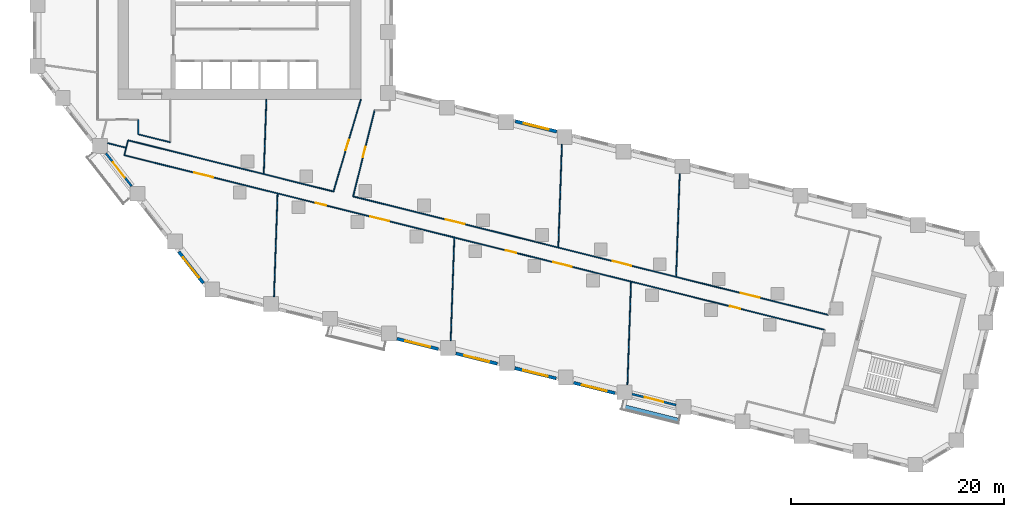
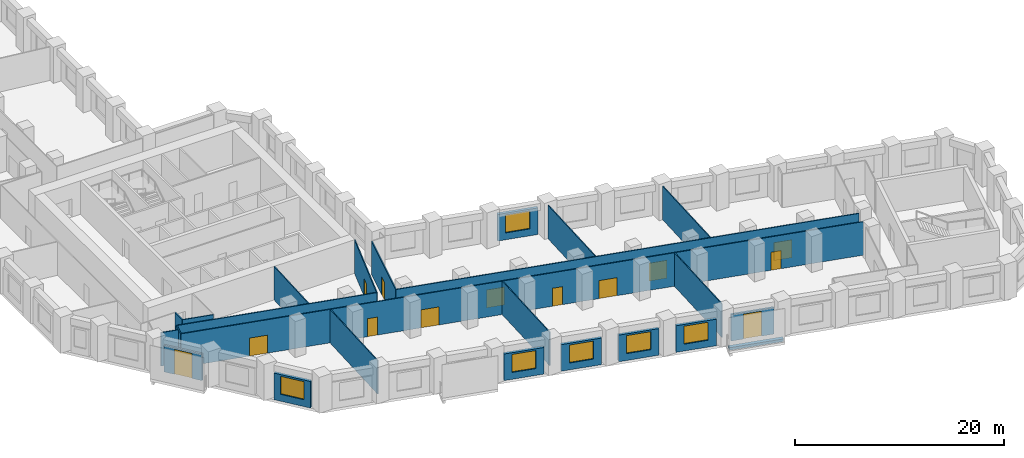
# One storey, part 3 of 11: 24 walls, 13 doors, 6 windows, 19 openings.
"""IFC4 building model written with IfcOpenShell, lengths in metres."""

from ifc_helpers import new_model, si_unit, direction, frame, frame_2d, origin, place, context, subcontext, project, spatial, rectangle, extrude, material, layer, layer_set, type_object, element, fill, save


model = new_model("IFC4")

# Units and contexts
model_context = context("Model", 3, precision=1e-05, world=origin(), true_north=direction((0.0, 1.0)))
body_context = subcontext(model_context, "Body", "Model", "MODEL_VIEW")
ifc_project = project(units=[si_unit("LENGTHUNIT", "METRE"), si_unit("AREAUNIT", "SQUARE_METRE"), si_unit("VOLUMEUNIT", "CUBIC_METRE"), si_unit("PLANEANGLEUNIT", "RADIAN"), si_unit("MASSUNIT", "GRAM", prefix="KILO")], contexts=[model_context])

# Site, building, storey
site_placement = place(None, origin())
site = spatial("IfcSite", under=ifc_project, at=site_placement, CompositionType="ELEMENT")
building_placement = place(site_placement, origin())
building = spatial("IfcBuilding", under=site, at=building_placement, Name="Meshkara Civic Tower", CompositionType="ELEMENT")
storey_placement = place(building_placement, frame((0.0, 0.0, 75.0)))
storey = spatial("IfcBuildingStorey", under=building, at=storey_placement, Name="L16", CompositionType="ELEMENT", Elevation=75.0)

# Wall, openings, doors
ifc_material_1 = material(Name="Corridor wall 100")
ifc_layer_1 = layer(ifc_material_1, 0.10009765625)
ifc_layer_set_1 = layer_set([ifc_layer_1], Name="Corridor wall 100")
wall_type_1 = type_object("IfcWallType", Name="Corridor wall 100", PredefinedType="PARTITIONING", material=ifc_layer_set_1)
wall_1_placement = place(storey_placement, frame((8.593994140625, 8.862060546875, 0.0), z_axis=(0.0, 0.0, 1.0), x_axis=(0.970293392615, -0.241931255211, 0.0)))
wall_1 = element("IfcWall", 1, at=wall_1_placement, inside=storey, type_object=wall_type_1, Name="L16-W007", PredefinedType="PARTITIONING", context=body_context, shape_type="SweptSolid", body=[
    extrude(rectangle(XDim=67.775390625, YDim=0.10009765625, at=frame_2d((33.8876953125, 0.0))), origin(), (0.0, 0.0, 1.0), 3.89990234375),
])
opening_1_placement = place(wall_1_placement, frame((36.910888671875, 0.0, 0.0)))
opening_1 = element("IfcOpeningElement", 2, at=opening_1_placement, cuts=wall_1, Name="Opening L16-D003", PredefinedType="OPENING", context=body_context, shape_type="SweptSolid", body=[
    extrude(rectangle(XDim=1.0, YDim=2.10009765625, at=frame_2d((0.5, 1.050048828125))), frame((0.0, 0.06005859375, 0.0), z_axis=(0.0, -1.0, 0.0), x_axis=(1.0, 0.0, 0.0)), (0.0, 0.0, 1.0), 0.1201171875),
])
opening_2_placement = place(wall_1_placement, frame((41.510986328125, 0.0, 0.0)))
opening_2 = element("IfcOpeningElement", 3, at=opening_2_placement, cuts=wall_1, Name="Opening L16-D004", PredefinedType="OPENING", context=body_context, shape_type="SweptSolid", body=[
    extrude(rectangle(XDim=1.800048828125, YDim=2.10009765625, at=frame_2d((0.89990234375, 1.050048828125))), frame((0.0, 0.06005859375, 0.0), z_axis=(0.0, -1.0, 0.0), x_axis=(1.0, 0.0, 0.0)), (0.0, 0.0, 1.0), 0.1201171875),
])
opening_3_placement = place(wall_1_placement, frame((58.611083984375, 0.0, 0.0)))
opening_3 = element("IfcOpeningElement", 4, at=opening_3_placement, cuts=wall_1, Name="Opening L16-D006", PredefinedType="OPENING", context=body_context, shape_type="SweptSolid", body=[
    extrude(rectangle(XDim=1.0, YDim=2.10009765625, at=frame_2d((0.5, 1.050048828125))), frame((0.0, 0.06005859375, 0.0), z_axis=(0.0, -1.0, 0.0), x_axis=(1.0, 0.0, 0.0)), (0.0, 0.0, 1.0), 0.1201171875),
])
opening_4_placement = place(wall_1_placement, frame((18.510986328125, 0.0, 0.0)))
opening_4 = element("IfcOpeningElement", 5, at=opening_4_placement, cuts=wall_1, Name="Opening L16-D009", PredefinedType="OPENING", context=body_context, shape_type="SweptSolid", body=[
    extrude(rectangle(XDim=1.0, YDim=2.10009765625, at=frame_2d((0.5, 1.050048828125))), frame((0.0, 0.06005859375, 0.0), z_axis=(0.0, -1.0, 0.0), x_axis=(1.0, 0.0, 0.0)), (0.0, 0.0, 1.0), 0.1201171875),
])
opening_5_placement = place(wall_1_placement, frame((23.81103515625, 0.0, 0.0)))
opening_5 = element("IfcOpeningElement", 6, at=opening_5_placement, cuts=wall_1, Name="Opening L16-D010", PredefinedType="OPENING", context=body_context, shape_type="SweptSolid", body=[
    extrude(rectangle(XDim=1.800048828125, YDim=2.10009765625, at=frame_2d((0.89990234375, 1.050048828125))), frame((0.0, 0.06005859375, 0.0), z_axis=(0.0, -1.0, 0.0), x_axis=(1.0, 0.0, 0.0)), (0.0, 0.0, 1.0), 0.1201171875),
])
opening_6_placement = place(wall_1_placement, frame((6.780029296875, 0.0, 0.0)))
opening_6 = element("IfcOpeningElement", 7, at=opening_6_placement, cuts=wall_1, Name="Opening L16-D013", PredefinedType="OPENING", context=body_context, shape_type="SweptSolid", body=[
    extrude(rectangle(XDim=1.800048828125, YDim=2.10009765625, at=frame_2d((0.89990234375, 1.050048828125))), frame((0.0, 0.06005859375, 0.0), z_axis=(0.0, -1.0, 0.0), x_axis=(1.0, 0.0, 0.0)), (0.0, 0.0, 1.0), 0.1201171875),
])
ifc_material_2 = material(Name="Door 1000 x 2100")
door_type_1 = type_object("IfcDoorType", Name="Door 1000 x 2100", OperationType="SINGLE_SWING_LEFT", PredefinedType="DOOR", material=ifc_material_2)
door_1_placement = place(opening_1_placement, origin())
door_1 = element("IfcDoor", 8, at=door_1_placement, inside=storey, type_object=door_type_1, Name="L16-D003", OperationType="SINGLE_SWING_RIGHT", OverallHeight=2.10009765625, OverallWidth=1.0, PredefinedType="DOOR", context=body_context, shape_type="SweptSolid", body=[
    extrude(rectangle(XDim=1.0, YDim=2.10009765625, at=frame_2d((0.5, 1.050048828125))), frame((0.0, 0.02490234375, 0.0), z_axis=(0.0, -1.0, 0.0), x_axis=(1.0, 0.0, 0.0)), (0.0, 0.0, 1.0), 0.050048828125),
])
fill(opening_1, door_1)
door_2_placement = place(opening_3_placement, origin())
door_2 = element("IfcDoor", 9, at=door_2_placement, inside=storey, type_object=door_type_1, Name="L16-D006", OperationType="SINGLE_SWING_LEFT", OverallHeight=2.10009765625, OverallWidth=1.0, PredefinedType="DOOR", context=body_context, shape_type="SweptSolid", body=[
    extrude(rectangle(XDim=1.0, YDim=2.10009765625, at=frame_2d((0.5, 1.050048828125))), frame((0.0, 0.02490234375, 0.0), z_axis=(0.0, -1.0, 0.0), x_axis=(1.0, 0.0, 0.0)), (0.0, 0.0, 1.0), 0.050048828125),
])
fill(opening_3, door_2)
door_3_placement = place(opening_4_placement, origin())
door_3 = element("IfcDoor", 10, at=door_3_placement, inside=storey, type_object=door_type_1, Name="L16-D009", OperationType="SINGLE_SWING_RIGHT", OverallHeight=2.10009765625, OverallWidth=1.0, PredefinedType="DOOR", context=body_context, shape_type="SweptSolid", body=[
    extrude(rectangle(XDim=1.0, YDim=2.10009765625, at=frame_2d((0.5, 1.050048828125))), frame((0.0, 0.02490234375, 0.0), z_axis=(0.0, -1.0, 0.0), x_axis=(1.0, 0.0, 0.0)), (0.0, 0.0, 1.0), 0.050048828125),
])
fill(opening_4, door_3)
ifc_material_3 = material(Name="Door pair 1800 x 2100")
door_type_2 = type_object("IfcDoorType", Name="Door pair 1800 x 2100", OperationType="SINGLE_SWING_LEFT", PredefinedType="DOOR", material=ifc_material_3)
door_4_placement = place(opening_2_placement, origin())
door_4 = element("IfcDoor", 11, at=door_4_placement, inside=storey, type_object=door_type_2, Name="L16-D004", OperationType="DOUBLE_DOOR_SINGLE_SWING", OverallHeight=2.10009765625, OverallWidth=1.800048828125, PredefinedType="DOOR", context=body_context, shape_type="SweptSolid", body=[
    extrude(rectangle(XDim=1.800048828125, YDim=2.10009765625, at=frame_2d((0.89990234375, 1.050048828125))), frame((0.0, 0.02490234375, 0.0), z_axis=(0.0, -1.0, 0.0), x_axis=(1.0, 0.0, 0.0)), (0.0, 0.0, 1.0), 0.050048828125),
])
fill(opening_2, door_4)
door_5_placement = place(opening_5_placement, origin())
door_5 = element("IfcDoor", 12, at=door_5_placement, inside=storey, type_object=door_type_2, Name="L16-D010", OperationType="DOUBLE_DOOR_SINGLE_SWING", OverallHeight=2.10009765625, OverallWidth=1.800048828125, PredefinedType="DOOR", context=body_context, shape_type="SweptSolid", body=[
    extrude(rectangle(XDim=1.800048828125, YDim=2.10009765625, at=frame_2d((0.89990234375, 1.050048828125))), frame((0.0, 0.02490234375, 0.0), z_axis=(0.0, -1.0, 0.0), x_axis=(1.0, 0.0, 0.0)), (0.0, 0.0, 1.0), 0.050048828125),
])
fill(opening_5, door_5)
door_6_placement = place(opening_6_placement, origin())
door_6 = element("IfcDoor", 13, at=door_6_placement, inside=storey, type_object=door_type_2, Name="L16-D013", OperationType="DOUBLE_DOOR_SINGLE_SWING", OverallHeight=2.10009765625, OverallWidth=1.800048828125, PredefinedType="DOOR", context=body_context, shape_type="SweptSolid", body=[
    extrude(rectangle(XDim=1.800048828125, YDim=2.10009765625, at=frame_2d((0.89990234375, 1.050048828125))), frame((0.0, 0.02490234375, 0.0), z_axis=(0.0, -1.0, 0.0), x_axis=(1.0, 0.0, 0.0)), (0.0, 0.0, 1.0), 0.050048828125),
])
fill(opening_6, door_6)

# Walls
wall_2_placement = place(storey_placement, frame((8.944091796875, 10.263916015625, 0.0), z_axis=(0.0, 0.0, 1.0), x_axis=(0.970300504447, -0.241902730595, 0.0)))
element("IfcWall", 14, at=wall_2_placement, inside=storey, type_object=wall_type_1, Name="L16-W008", PredefinedType="PARTITIONING", context=body_context, shape_type="SweptSolid", body=[
    extrude(rectangle(XDim=19.879150390625, YDim=0.10009765625, at=frame_2d((9.939453125, 0.0))), origin(), (0.0, 0.0, 1.0), 3.89990234375),
])
wall_3_placement = place(storey_placement, frame((8.944091796875, 10.263916015625, 0.0), z_axis=(0.0, 0.0, 1.0), x_axis=(-0.242297077633, -0.970202105837, 0.0)))
element("IfcWall", 15, at=wall_3_placement, inside=storey, type_object=wall_type_1, Name="L16-W009", PredefinedType="PARTITIONING", context=body_context, shape_type="SweptSolid", body=[
    extrude(rectangle(XDim=1.44482421875, YDim=0.10009765625, at=frame_2d((0.722412109375, 0.0))), origin(), (0.0, 0.0, 1.0), 3.89990234375),
])
wall_4_placement = place(storey_placement, frame((9.89990234375, 10.825927734375, 0.0), z_axis=(0.0, 0.0, 1.0), x_axis=(0.970290953223, -0.241941038466, 0.0)))
element("IfcWall", 16, at=wall_4_placement, inside=storey, type_object=wall_type_1, Name="L16-W010", PredefinedType="PARTITIONING", context=body_context, shape_type="SweptSolid", body=[
    extrude(rectangle(XDim=3.091796875, YDim=0.10009765625, at=frame_2d((1.5458984375, 0.0))), origin(), (0.0, 0.0, 1.0), 3.89990234375),
])
wall_5_placement = place(storey_placement, frame((9.89990234375, 12.199951171875, 0.0), z_axis=(0.0, 0.0, 1.0), x_axis=(0.0, -1.0, 0.0)))
element("IfcWall", 17, at=wall_5_placement, inside=storey, type_object=wall_type_1, Name="L16-W011", PredefinedType="PARTITIONING", context=body_context, shape_type="SweptSolid", body=[
    extrude(rectangle(XDim=1.3740234375, YDim=0.10009765625, at=frame_2d((0.68701171875, 0.0))), origin(), (0.0, 0.0, 1.0), 3.89990234375),
])

# Wall, openings, doors
wall_6_placement = place(storey_placement, frame((30.075927734375, 4.9951171875, 0.0), z_axis=(0.0, 0.0, 1.0), x_axis=(0.970296234935, -0.241919855469, 0.0)))
wall_6 = element("IfcWall", 18, at=wall_6_placement, inside=storey, type_object=wall_type_1, Name="L16-W020", PredefinedType="PARTITIONING", context=body_context, shape_type="SweptSolid", body=[
    extrude(rectangle(XDim=45.995361328125, YDim=0.10009765625, at=frame_2d((22.99755859375, 0.0))), origin(), (0.0, 0.0, 1.0), 3.89990234375),
])
opening_7_placement = place(wall_6_placement, frame((25.12109375, 0.0, 0.0)))
opening_7 = element("IfcOpeningElement", 19, at=opening_7_placement, cuts=wall_6, Name="Opening L16-D005", PredefinedType="OPENING", context=body_context, shape_type="SweptSolid", body=[
    extrude(rectangle(XDim=1.800048828125, YDim=2.10009765625, at=frame_2d((0.89990234375, 1.050048828125))), frame((0.0, 0.06005859375, 0.0), z_axis=(0.0, -1.0, 0.0), x_axis=(1.0, 0.0, 0.0)), (0.0, 0.0, 1.0), 0.1201171875),
])
opening_8_placement = place(wall_6_placement, frame((37.52001953125, 0.0, 0.0)))
opening_8 = element("IfcOpeningElement", 20, at=opening_8_placement, cuts=wall_6, Name="Opening L16-D007", PredefinedType="OPENING", context=body_context, shape_type="SweptSolid", body=[
    extrude(rectangle(XDim=1.800048828125, YDim=2.10009765625, at=frame_2d((0.89990234375, 1.050048828125))), frame((0.0, 0.06005859375, 0.0), z_axis=(0.0, -1.0, 0.0), x_axis=(1.0, 0.0, 0.0)), (0.0, 0.0, 1.0), 0.1201171875),
])
opening_9_placement = place(wall_6_placement, frame((8.97998046875, 0.0, 0.0)))
opening_9 = element("IfcOpeningElement", 21, at=opening_9_placement, cuts=wall_6, Name="Opening L16-D011", PredefinedType="OPENING", context=body_context, shape_type="SweptSolid", body=[
    extrude(rectangle(XDim=1.800048828125, YDim=2.10009765625, at=frame_2d((0.89990234375, 1.050048828125))), frame((0.0, 0.06005859375, 0.0), z_axis=(0.0, -1.0, 0.0), x_axis=(1.0, 0.0, 0.0)), (0.0, 0.0, 1.0), 0.1201171875),
])
door_7_placement = place(opening_7_placement, origin())
door_7 = element("IfcDoor", 22, at=door_7_placement, inside=storey, type_object=door_type_2, Name="L16-D005", OperationType="DOUBLE_DOOR_SINGLE_SWING", OverallHeight=2.10009765625, OverallWidth=1.800048828125, PredefinedType="DOOR", context=body_context, shape_type="SweptSolid", body=[
    extrude(rectangle(XDim=1.800048828125, YDim=2.10009765625, at=frame_2d((0.89990234375, 1.050048828125))), frame((0.0, 0.02490234375, 0.0), z_axis=(0.0, -1.0, 0.0), x_axis=(1.0, 0.0, 0.0)), (0.0, 0.0, 1.0), 0.050048828125),
])
fill(opening_7, door_7)
door_8_placement = place(opening_8_placement, origin())
door_8 = element("IfcDoor", 23, at=door_8_placement, inside=storey, type_object=door_type_2, Name="L16-D007", OperationType="DOUBLE_DOOR_SINGLE_SWING", OverallHeight=2.10009765625, OverallWidth=1.800048828125, PredefinedType="DOOR", context=body_context, shape_type="SweptSolid", body=[
    extrude(rectangle(XDim=1.800048828125, YDim=2.10009765625, at=frame_2d((0.89990234375, 1.050048828125))), frame((0.0, 0.02490234375, 0.0), z_axis=(0.0, -1.0, 0.0), x_axis=(1.0, 0.0, 0.0)), (0.0, 0.0, 1.0), 0.050048828125),
])
fill(opening_8, door_8)
door_9_placement = place(opening_9_placement, origin())
door_9 = element("IfcDoor", 24, at=door_9_placement, inside=storey, type_object=door_type_2, Name="L16-D011", OperationType="DOUBLE_DOOR_SINGLE_SWING", OverallHeight=2.10009765625, OverallWidth=1.800048828125, PredefinedType="DOOR", context=body_context, shape_type="SweptSolid", body=[
    extrude(rectangle(XDim=1.800048828125, YDim=2.10009765625, at=frame_2d((0.89990234375, 1.050048828125))), frame((0.0, 0.02490234375, 0.0), z_axis=(0.0, -1.0, 0.0), x_axis=(1.0, 0.0, 0.0)), (0.0, 0.0, 1.0), 0.050048828125),
])
fill(opening_9, door_9)

# Wall, opening, door
wall_7_placement = place(storey_placement, frame((30.075927734375, 4.9951171875, 0.0), z_axis=(0.0, 0.0, 1.0), x_axis=(0.241944155572, 0.97029017597, 0.0)))
wall_7 = element("IfcWall", 25, at=wall_7_placement, inside=storey, type_object=wall_type_1, Name="L16-W021", PredefinedType="PARTITIONING", context=body_context, shape_type="SweptSolid", body=[
    extrude(rectangle(XDim=8.353271484375, YDim=0.10009765625, at=frame_2d((4.1767578125, 0.0))), origin(), (0.0, 0.0, 1.0), 3.89990234375),
])
opening_10_placement = place(wall_7_placement, frame((3.780029296875, 0.0, 0.0)))
opening_10 = element("IfcOpeningElement", 26, at=opening_10_placement, cuts=wall_7, Name="Opening L16-D015", PredefinedType="OPENING", context=body_context, shape_type="SweptSolid", body=[
    extrude(rectangle(XDim=1.0, YDim=2.10009765625, at=frame_2d((0.5, 1.050048828125))), frame((0.0, 0.06005859375, 0.0), z_axis=(0.0, -1.0, 0.0), x_axis=(1.0, 0.0, 0.0)), (0.0, 0.0, 1.0), 0.1201171875),
])
door_10_placement = place(opening_10_placement, origin())
door_10 = element("IfcDoor", 27, at=door_10_placement, inside=storey, type_object=door_type_1, Name="L16-D015", OperationType="SINGLE_SWING_LEFT", OverallHeight=2.10009765625, OverallWidth=1.0, PredefinedType="DOOR", context=body_context, shape_type="SweptSolid", body=[
    extrude(rectangle(XDim=1.0, YDim=2.10009765625, at=frame_2d((0.5, 1.050048828125))), frame((0.0, 0.02490234375, 0.0), z_axis=(0.0, -1.0, 0.0), x_axis=(1.0, 0.0, 0.0)), (0.0, 0.0, 1.0), 0.050048828125),
])
fill(opening_10, door_10)

wall_8_placement = place(storey_placement, frame((30.800048828125, 14.10009765625, 0.0), z_axis=(0.0, 0.0, 1.0), x_axis=(-0.284664373847, -0.95862724469, 0.0)))
wall_8 = element("IfcWall", 28, at=wall_8_placement, inside=storey, type_object=wall_type_1, Name="L16-W022", PredefinedType="PARTITIONING", context=body_context, shape_type="SweptSolid", body=[
    extrude(rectangle(XDim=9.01806640625, YDim=0.10009765625, at=frame_2d((4.509033203125, 0.0))), origin(), (0.0, 0.0, 1.0), 3.89990234375),
])
opening_11_placement = place(wall_8_placement, frame((3.97998046875, 0.0, 0.0)))
opening_11 = element("IfcOpeningElement", 29, at=opening_11_placement, cuts=wall_8, Name="Opening L16-D014", PredefinedType="OPENING", context=body_context, shape_type="SweptSolid", body=[
    extrude(rectangle(XDim=1.0, YDim=2.10009765625, at=frame_2d((0.5, 1.050048828125))), frame((0.0, 0.06005859375, 0.0), z_axis=(0.0, -1.0, 0.0), x_axis=(1.0, 0.0, 0.0)), (0.0, 0.0, 1.0), 0.1201171875),
])
door_11_placement = place(opening_11_placement, origin())
door_11 = element("IfcDoor", 30, at=door_11_placement, inside=storey, type_object=door_type_1, Name="L16-D014", OperationType="SINGLE_SWING_RIGHT", OverallHeight=2.10009765625, OverallWidth=1.0, PredefinedType="DOOR", context=body_context, shape_type="SweptSolid", body=[
    extrude(rectangle(XDim=1.0, YDim=2.10009765625, at=frame_2d((0.5, 1.050048828125))), frame((0.0, 0.02490234375, 0.0), z_axis=(0.0, -1.0, 0.0), x_axis=(1.0, 0.0, 0.0)), (0.0, 0.0, 1.0), 0.050048828125),
])
fill(opening_11, door_11)

# Wall, opening, window
ifc_material_4 = material(Name="Insulated infill panel with bronze anodised aluminium cladding", Category="aluminium")
ifc_layer_2 = layer(ifc_material_4, 0.300048828125)
ifc_layer_set_2 = layer_set([ifc_layer_2], Name="EXTERNAL INFILL WALL 300")
wall_type_2 = type_object("IfcWallType", Name="EXTERNAL INFILL WALL 300", PredefinedType="SOLIDWALL", material=ifc_layer_set_2)
wall_9_placement = place(storey_placement, frame((49.19091796875, 11.0791015625, 0.0), z_axis=(0.0, 0.0, 1.0), x_axis=(-0.970318045095, 0.24183236211, 0.0)))
wall_9 = element("IfcWall", 31, at=wall_9_placement, inside=storey, type_object=wall_type_2, Name="External wall", PredefinedType="SOLIDWALL", context=body_context, shape_type="SweptSolid", body=[
    extrude(rectangle(XDim=4.0029296875, YDim=0.300048828125, at=frame_2d((2.00146484375, 0.0))), origin(), (0.0, 0.0, 1.0), 3.10009765625),
])
opening_12_placement = place(wall_9_placement, frame((0.802001953125, 0.0, 0.800048828125)))
opening_12 = element("IfcOpeningElement", 32, at=opening_12_placement, cuts=wall_9, Name="Opening W7", PredefinedType="OPENING", context=body_context, shape_type="SweptSolid", body=[
    extrude(rectangle(XDim=2.39990234375, YDim=2.10009765625, at=frame_2d((1.199951171875, 1.050048828125))), frame((0.0, 0.159912109375, 0.0), z_axis=(0.0, -1.0, 0.0), x_axis=(1.0, 0.0, 0.0)), (0.0, 0.0, 1.0), 0.320068359375),
])
ifc_material_5 = material(Name="Tinted double glazing", Category="glass")
window_type = type_object("IfcWindowType", Name="WINDOW 2400x2100", PartitioningType="DOUBLE_PANEL_VERTICAL", PredefinedType="WINDOW", material=ifc_material_5)
window_1_placement = place(opening_12_placement, origin())
window_1 = element("IfcWindow", 33, at=window_1_placement, inside=storey, type_object=window_type, Name="Window", OverallHeight=2.10009765625, OverallWidth=2.39990234375, PartitioningType="DOUBLE_PANEL_VERTICAL", PredefinedType="WINDOW", context=body_context, shape_type="SweptSolid", body=[
    extrude(rectangle(XDim=2.39990234375, YDim=2.10009765625, at=frame_2d((1.199951171875, 1.050048828125))), frame((0.0, 0.030029296875, 0.0), z_axis=(0.0, -1.0, 0.0), x_axis=(1.0, 0.0, 0.0)), (0.0, 0.0, 1.0), 0.06005859375),
])
fill(opening_12, window_1)

wall_10_placement = place(storey_placement, frame((13.7099609375, -0.205078125, 0.0), z_axis=(0.0, 0.0, 1.0), x_axis=(0.615798780214, -0.787903460004, 0.0)))
wall_10 = element("IfcWall", 34, at=wall_10_placement, inside=storey, type_object=wall_type_2, Name="External wall", PredefinedType="SOLIDWALL", context=body_context, shape_type="SweptSolid", body=[
    extrude(rectangle(XDim=3.735107421875, YDim=0.300048828125, at=frame_2d((1.86767578125, 0.0))), origin(), (0.0, 0.0, 1.0), 3.10009765625),
])
opening_13_placement = place(wall_10_placement, frame((0.6669921875, 0.0, 0.800048828125)))
opening_13 = element("IfcOpeningElement", 35, at=opening_13_placement, cuts=wall_10, Name="Opening W7", PredefinedType="OPENING", context=body_context, shape_type="SweptSolid", body=[
    extrude(rectangle(XDim=2.39990234375, YDim=2.10009765625, at=frame_2d((1.199951171875, 1.050048828125))), frame((0.0, 0.159912109375, 0.0), z_axis=(0.0, -1.0, 0.0), x_axis=(1.0, 0.0, 0.0)), (0.0, 0.0, 1.0), 0.320068359375),
])
window_2_placement = place(opening_13_placement, origin())
window_2 = element("IfcWindow", 36, at=window_2_placement, inside=storey, type_object=window_type, Name="Window", OverallHeight=2.10009765625, OverallWidth=2.39990234375, PartitioningType="DOUBLE_PANEL_VERTICAL", PredefinedType="WINDOW", context=body_context, shape_type="SweptSolid", body=[
    extrude(rectangle(XDim=2.39990234375, YDim=2.10009765625, at=frame_2d((1.199951171875, 1.050048828125))), frame((0.0, 0.030029296875, 0.0), z_axis=(0.0, -1.0, 0.0), x_axis=(1.0, 0.0, 0.0)), (0.0, 0.0, 1.0), 0.06005859375),
])
fill(opening_13, window_2)

wall_11_placement = place(storey_placement, frame((34.194091796875, -8.37109375, 0.0), z_axis=(0.0, 0.0, 1.0), x_axis=(0.970314477803, -0.241846674911, 0.0)))
wall_11 = element("IfcWall", 37, at=wall_11_placement, inside=storey, type_object=wall_type_2, Name="External wall", PredefinedType="SOLIDWALL", context=body_context, shape_type="SweptSolid", body=[
    extrude(rectangle(XDim=4.002685546875, YDim=0.300048828125, at=frame_2d((2.00146484375, 0.0))), origin(), (0.0, 0.0, 1.0), 3.10009765625),
])
opening_14_placement = place(wall_11_placement, frame((0.802001953125, 0.0, 0.800048828125)))
opening_14 = element("IfcOpeningElement", 38, at=opening_14_placement, cuts=wall_11, Name="Opening W7", PredefinedType="OPENING", context=body_context, shape_type="SweptSolid", body=[
    extrude(rectangle(XDim=2.39990234375, YDim=2.10009765625, at=frame_2d((1.199951171875, 1.050048828125))), frame((0.0, 0.159912109375, 0.0), z_axis=(0.0, -1.0, 0.0), x_axis=(1.0, 0.0, 0.0)), (0.0, 0.0, 1.0), 0.320068359375),
])
window_3_placement = place(opening_14_placement, origin())
window_3 = element("IfcWindow", 39, at=window_3_placement, inside=storey, type_object=window_type, Name="Window", OverallHeight=2.10009765625, OverallWidth=2.39990234375, PartitioningType="DOUBLE_PANEL_VERTICAL", PredefinedType="WINDOW", context=body_context, shape_type="SweptSolid", body=[
    extrude(rectangle(XDim=2.39990234375, YDim=2.10009765625, at=frame_2d((1.199951171875, 1.050048828125))), frame((0.0, 0.030029296875, 0.0), z_axis=(0.0, -1.0, 0.0), x_axis=(1.0, 0.0, 0.0)), (0.0, 0.0, 1.0), 0.06005859375),
])
fill(opening_14, window_3)

wall_12_placement = place(storey_placement, frame((39.72509765625, -9.75, 0.0), z_axis=(0.0, 0.0, 1.0), x_axis=(0.970314477803, -0.241846674911, 0.0)))
wall_12 = element("IfcWall", 40, at=wall_12_placement, inside=storey, type_object=wall_type_2, Name="External wall", PredefinedType="SOLIDWALL", context=body_context, shape_type="SweptSolid", body=[
    extrude(rectangle(XDim=4.002685546875, YDim=0.300048828125, at=frame_2d((2.00146484375, 0.0))), origin(), (0.0, 0.0, 1.0), 3.10009765625),
])
opening_15_placement = place(wall_12_placement, frame((0.801025390625, 0.0, 0.800048828125)))
opening_15 = element("IfcOpeningElement", 41, at=opening_15_placement, cuts=wall_12, Name="Opening W7", PredefinedType="OPENING", context=body_context, shape_type="SweptSolid", body=[
    extrude(rectangle(XDim=2.39990234375, YDim=2.10009765625, at=frame_2d((1.199951171875, 1.050048828125))), frame((0.0, 0.159912109375, 0.0), z_axis=(0.0, -1.0, 0.0), x_axis=(1.0, 0.0, 0.0)), (0.0, 0.0, 1.0), 0.320068359375),
])
window_4_placement = place(opening_15_placement, origin())
window_4 = element("IfcWindow", 42, at=window_4_placement, inside=storey, type_object=window_type, Name="Window", OverallHeight=2.10009765625, OverallWidth=2.39990234375, PartitioningType="DOUBLE_PANEL_VERTICAL", PredefinedType="WINDOW", context=body_context, shape_type="SweptSolid", body=[
    extrude(rectangle(XDim=2.39990234375, YDim=2.10009765625, at=frame_2d((1.199951171875, 1.050048828125))), frame((0.0, 0.030029296875, 0.0), z_axis=(0.0, -1.0, 0.0), x_axis=(1.0, 0.0, 0.0)), (0.0, 0.0, 1.0), 0.06005859375),
])
fill(opening_15, window_4)

wall_13_placement = place(storey_placement, frame((45.256103515625, -11.12890625, 0.0), z_axis=(0.0, 0.0, 1.0), x_axis=(0.970300202301, -0.241903942538, 0.0)))
wall_13 = element("IfcWall", 43, at=wall_13_placement, inside=storey, type_object=wall_type_2, Name="External wall", PredefinedType="SOLIDWALL", context=body_context, shape_type="SweptSolid", body=[
    extrude(rectangle(XDim=4.001708984375, YDim=0.300048828125, at=frame_2d((2.0009765625, 0.0))), origin(), (0.0, 0.0, 1.0), 3.10009765625),
])
opening_16_placement = place(wall_13_placement, frame((0.801025390625, 0.0, 0.800048828125)))
opening_16 = element("IfcOpeningElement", 44, at=opening_16_placement, cuts=wall_13, Name="Opening W7", PredefinedType="OPENING", context=body_context, shape_type="SweptSolid", body=[
    extrude(rectangle(XDim=2.39990234375, YDim=2.10009765625, at=frame_2d((1.199951171875, 1.050048828125))), frame((0.0, 0.159912109375, 0.0), z_axis=(0.0, -1.0, 0.0), x_axis=(1.0, 0.0, 0.0)), (0.0, 0.0, 1.0), 0.320068359375),
])
window_5_placement = place(opening_16_placement, origin())
window_5 = element("IfcWindow", 45, at=window_5_placement, inside=storey, type_object=window_type, Name="Window", OverallHeight=2.10009765625, OverallWidth=2.39990234375, PartitioningType="DOUBLE_PANEL_VERTICAL", PredefinedType="WINDOW", context=body_context, shape_type="SweptSolid", body=[
    extrude(rectangle(XDim=2.39990234375, YDim=2.10009765625, at=frame_2d((1.199951171875, 1.050048828125))), frame((0.0, 0.030029296875, 0.0), z_axis=(0.0, -1.0, 0.0), x_axis=(1.0, 0.0, 0.0)), (0.0, 0.0, 1.0), 0.06005859375),
])
fill(opening_16, window_5)

wall_14_placement = place(storey_placement, frame((50.785888671875, -12.508056640625, 0.0), z_axis=(0.0, 0.0, 1.0), x_axis=(0.970318045095, -0.24183236211, 0.0)))
wall_14 = element("IfcWall", 46, at=wall_14_placement, inside=storey, type_object=wall_type_2, Name="External wall", PredefinedType="SOLIDWALL", context=body_context, shape_type="SweptSolid", body=[
    extrude(rectangle(XDim=4.0029296875, YDim=0.300048828125, at=frame_2d((2.00146484375, 0.0))), origin(), (0.0, 0.0, 1.0), 3.10009765625),
])
opening_17_placement = place(wall_14_placement, frame((0.802001953125, 0.0, 0.800048828125)))
opening_17 = element("IfcOpeningElement", 47, at=opening_17_placement, cuts=wall_14, Name="Opening W7", PredefinedType="OPENING", context=body_context, shape_type="SweptSolid", body=[
    extrude(rectangle(XDim=2.39990234375, YDim=2.10009765625, at=frame_2d((1.199951171875, 1.050048828125))), frame((0.0, 0.159912109375, 0.0), z_axis=(0.0, -1.0, 0.0), x_axis=(1.0, 0.0, 0.0)), (0.0, 0.0, 1.0), 0.320068359375),
])
window_6_placement = place(opening_17_placement, origin())
window_6 = element("IfcWindow", 48, at=window_6_placement, inside=storey, type_object=window_type, Name="Window", OverallHeight=2.10009765625, OverallWidth=2.39990234375, PartitioningType="DOUBLE_PANEL_VERTICAL", PredefinedType="WINDOW", context=body_context, shape_type="SweptSolid", body=[
    extrude(rectangle(XDim=2.39990234375, YDim=2.10009765625, at=frame_2d((1.199951171875, 1.050048828125))), frame((0.0, 0.030029296875, 0.0), z_axis=(0.0, -1.0, 0.0), x_axis=(1.0, 0.0, 0.0)), (0.0, 0.0, 1.0), 0.06005859375),
])
fill(opening_17, window_6)

# Wall, opening, door
ifc_material_6 = material(Name="Insulated infill panel with bronze anodised aluminium cladding", Category="aluminium")
ifc_layer_3 = layer(ifc_material_6, 0.199951171875)
ifc_layer_set_3 = layer_set([ifc_layer_3], Name="LOGGIA BACK WALL 200")
wall_type_3 = type_object("IfcWallType", Name="LOGGIA BACK WALL 200", PredefinedType="SOLIDWALL", material=ifc_layer_set_3)
wall_15_placement = place(storey_placement, frame((6.87109375, 9.037109375, 0.0), z_axis=(0.0, 0.0, 1.0), x_axis=(0.615507574125, -0.788130970204, 0.0)))
wall_15 = element("IfcWall", 49, at=wall_15_placement, inside=storey, type_object=wall_type_3, Name="Loggia wall", PredefinedType="SOLIDWALL", context=body_context, shape_type="SweptSolid", body=[
    extrude(rectangle(XDim=3.92333984375, YDim=0.199951171875, at=frame_2d((1.961669921875, 0.0))), origin(), (0.0, 0.0, 1.0), 3.10009765625),
])
opening_18_placement = place(wall_15_placement, frame((1.06103515625, 0.0, 0.0)))
opening_18 = element("IfcOpeningElement", 50, at=opening_18_placement, cuts=wall_15, Name="Opening L16-L003", PredefinedType="OPENING", context=body_context, shape_type="SweptSolid", body=[
    extrude(rectangle(XDim=1.800048828125, YDim=2.89990234375, at=frame_2d((0.89990234375, 1.449951171875))), frame((0.0, 0.10986328125, 0.0), z_axis=(0.0, -1.0, 0.0), x_axis=(1.0, 0.0, 0.0)), (0.0, 0.0, 1.0), 0.219970703125),
])
ifc_material_7 = material(Name="Tinted double glazing", Category="glass")
door_type_3 = type_object("IfcDoorType", Name="LOGGIA DOOR 1800x2900", OperationType="DOUBLE_DOOR_SINGLE_SWING", PredefinedType="DOOR", material=ifc_material_7)
door_12_placement = place(opening_18_placement, origin())
door_12 = element("IfcDoor", 51, at=door_12_placement, inside=storey, type_object=door_type_3, Name="L16-L003", OperationType="DOUBLE_DOOR_SINGLE_SWING", OverallHeight=2.89990234375, OverallWidth=1.800048828125, PredefinedType="DOOR", context=body_context, shape_type="SweptSolid", body=[
    extrude(rectangle(XDim=1.800048828125, YDim=2.89990234375, at=frame_2d((0.89990234375, 1.449951171875))), frame((0.0, 0.02490234375, 0.0), z_axis=(0.0, -1.0, 0.0), x_axis=(1.0, 0.0, 0.0)), (0.0, 0.0, 1.0), 0.050048828125),
])
fill(opening_18, door_12)

wall_16_placement = place(storey_placement, frame((56.26611328125, -13.56494140625, 0.0), z_axis=(0.0, 0.0, 1.0), x_axis=(0.970290742877, -0.241941882045, 0.0)))
wall_16 = element("IfcWall", 52, at=wall_16_placement, inside=storey, type_object=wall_type_3, Name="Loggia wall", PredefinedType="SOLIDWALL", context=body_context, shape_type="SweptSolid", body=[
    extrude(rectangle(XDim=4.25732421875, YDim=0.199951171875, at=frame_2d((2.128662109375, 0.0))), origin(), (0.0, 0.0, 1.0), 3.10009765625),
])
opening_19_placement = place(wall_16_placement, frame((1.22802734375, 0.0, 0.0)))
opening_19 = element("IfcOpeningElement", 53, at=opening_19_placement, cuts=wall_16, Name="Opening L16-L005", PredefinedType="OPENING", context=body_context, shape_type="SweptSolid", body=[
    extrude(rectangle(XDim=1.800048828125, YDim=2.89990234375, at=frame_2d((0.89990234375, 1.449951171875))), frame((0.0, 0.10986328125, 0.0), z_axis=(0.0, -1.0, 0.0), x_axis=(1.0, 0.0, 0.0)), (0.0, 0.0, 1.0), 0.219970703125),
])
door_13_placement = place(opening_19_placement, origin())
door_13 = element("IfcDoor", 54, at=door_13_placement, inside=storey, type_object=door_type_3, Name="L16-L005", OperationType="DOUBLE_DOOR_SINGLE_SWING", OverallHeight=2.89990234375, OverallWidth=1.800048828125, PredefinedType="DOOR", context=body_context, shape_type="SweptSolid", body=[
    extrude(rectangle(XDim=1.800048828125, YDim=2.89990234375, at=frame_2d((0.89990234375, 1.449951171875))), frame((0.0, 0.02490234375, 0.0), z_axis=(0.0, -1.0, 0.0), x_axis=(1.0, 0.0, 0.0)), (0.0, 0.0, 1.0), 0.050048828125),
])
fill(opening_19, door_13)

# Walls
ifc_material_8 = material(Name="Concrete C40", Category="concrete")
ifc_layer_4 = layer(ifc_material_8, 0.39990234375)
ifc_layer_set_4 = layer_set([ifc_layer_4], Name="PLANTER TRAY")
wall_type_4 = type_object("IfcWallType", Name="PLANTER TRAY", PredefinedType="SOLIDWALL", material=ifc_layer_set_4)
wall_17_placement = place(storey_placement, frame((55.408935546875, -14.721923828125, 0.0), z_axis=(0.0, 0.0, 1.0), x_axis=(0.970281652924, -0.241978333739, 0.0)))
element("IfcWall", 55, at=wall_17_placement, inside=storey, type_object=wall_type_4, Name="Planter", PredefinedType="SOLIDWALL", context=body_context, shape_type="SweptSolid", body=[
    extrude(rectangle(XDim=5.360595703125, YDim=0.39990234375, at=frame_2d((2.68017578125, 0.0))), origin(), (0.0, 0.0, 1.0), 0.300048828125),
])
ifc_material_9 = material(Name="Partition 100")
ifc_layer_5 = layer(ifc_material_9, 0.10009765625)
ifc_layer_set_5 = layer_set([ifc_layer_5], Name="Partition 100")
wall_type_5 = type_object("IfcWallType", Name="Partition 100", PredefinedType="PARTITIONING", material=ifc_layer_set_5)
wall_18_placement = place(storey_placement, frame((8.719970703125, 9.573974609375, 0.0), z_axis=(0.0, 0.0, 1.0), x_axis=(-0.97016712555, 0.242437102155, 0.0)))
element("IfcWall", 56, at=wall_18_placement, inside=storey, type_object=wall_type_5, Name="L16-W038", PredefinedType="PARTITIONING", context=body_context, shape_type="SweptSolid", body=[
    extrude(rectangle(XDim=1.749267578125, YDim=0.10009765625, at=frame_2d((0.87451171875, 0.0))), origin(), (0.0, 0.0, 1.0), 3.89990234375),
])
wall_19_placement = place(storey_placement, frame((21.68896484375, 7.14892578125, 0.0), z_axis=(0.0, 0.0, 1.0), x_axis=(0.03492529419, 0.999389925818, 0.0)))
element("IfcWall", 57, at=wall_19_placement, inside=storey, type_object=wall_type_5, Name="L16-W045", PredefinedType="PARTITIONING", context=body_context, shape_type="SweptSolid", body=[
    extrude(rectangle(XDim=6.955322265625, YDim=0.10009765625, at=frame_2d((3.4775390625, 0.0))), origin(), (0.0, 0.0, 1.0), 3.89990234375),
])
for number, where, z_axis, x_axis, name in (
    (58, (22.64599609375, -4.4169921875, 0.0), (0.0, 0.0, 1.0), (0.03486722434, 0.999391953473, 0.0), "L16-W046"),
    (59, (39.238037109375, -8.553955078125, 0.0), (0.0, 0.0, 1.0), (0.03486722434, 0.999391953473, 0.0), "L16-W047"),
):
    element("IfcWall", number, at=place(storey_placement, frame(where, z_axis=z_axis, x_axis=x_axis)), inside=storey, type_object=wall_type_5, Name=name, PredefinedType="PARTITIONING", context=body_context, shape_type="SweptSolid", body=[
        extrude(rectangle(XDim=9.634765625, YDim=0.10009765625, at=frame_2d((4.8173828125, 0.0))), origin(), (0.0, 0.0, 1.0), 3.89990234375),
    ])
wall_20_placement = place(storey_placement, frame((49.342041015625, 0.25390625, 0.0), z_axis=(0.0, 0.0, 1.0), x_axis=(0.034971115612, 0.999388323462, 0.0)))
element("IfcWall", 60, at=wall_20_placement, inside=storey, type_object=wall_type_5, Name="L16-W048", PredefinedType="PARTITIONING", context=body_context, shape_type="SweptSolid", body=[
    extrude(rectangle(XDim=9.634033203125, YDim=0.10009765625, at=frame_2d((4.81689453125, 0.0))), origin(), (0.0, 0.0, 1.0), 3.89990234375),
])
for number, where, z_axis, x_axis, name in (
    (61, (55.830078125, -12.68994140625, 0.0), (0.0, 0.0, 1.0), (0.034870756628, 0.999391830231, 0.0), "L16-W049"),
    (62, (60.403076171875, -2.50390625, 0.0), (0.0, 0.0, 1.0), (0.034972001309, 0.999388292469, 0.0), "L16-W050"),
):
    element("IfcWall", number, at=place(storey_placement, frame(where, z_axis=z_axis, x_axis=x_axis)), inside=storey, type_object=wall_type_5, Name=name, PredefinedType="PARTITIONING", context=body_context, shape_type="SweptSolid", body=[
        extrude(rectangle(XDim=9.6337890625, YDim=0.10009765625, at=frame_2d((4.81689453125, 0.0))), origin(), (0.0, 0.0, 1.0), 3.89990234375),
    ])

save(model, "model.ifc")
